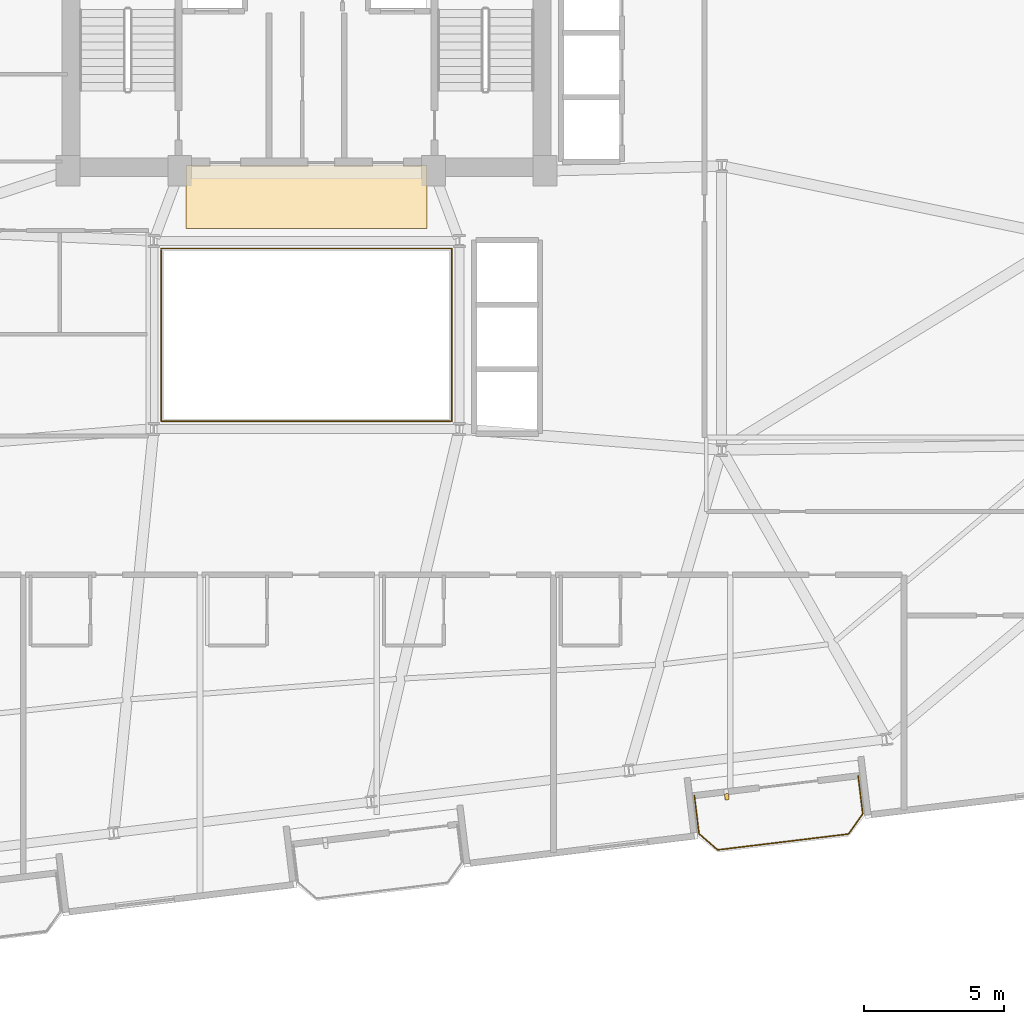
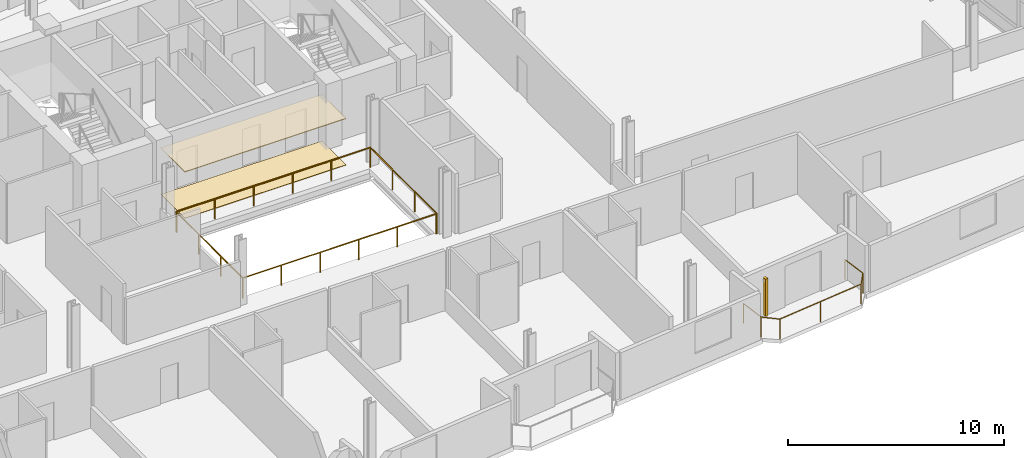
# One storey, part 20 of 22: 3 railings, 2 coverings, 1 shading device.
"""IFC4 building model written with IfcOpenShell, lengths in metres."""

from ifc_helpers import new_model, si_unit, direction, frame, origin, origin_2d, place, context, subcontext, project, spatial, rectangle, circle, extrude, source, transform, mapped, material, layer, layer_set, type_object, element, save


model = new_model("IFC4")

# Units and contexts
model_context = context("Model", 3, precision=1e-05, world=origin(), true_north=direction((0.0, 1.0)))
body_context = subcontext(model_context, "Body", "Model", "MODEL_VIEW")
ifc_project = project(units=[si_unit("LENGTHUNIT", "METRE"), si_unit("AREAUNIT", "SQUARE_METRE"), si_unit("VOLUMEUNIT", "CUBIC_METRE"), si_unit("PLANEANGLEUNIT", "RADIAN"), si_unit("MASSUNIT", "GRAM", prefix="KILO")], contexts=[model_context])

# Site, building, storey
site_placement = place(None, origin())
site = spatial("IfcSite", under=ifc_project, at=site_placement, CompositionType="ELEMENT")
building_placement = place(site_placement, origin())
building = spatial("IfcBuilding", under=site, at=building_placement, Name="Varnelok Gate Tower", CompositionType="ELEMENT")
storey_placement = place(building_placement, frame((0.0, 0.0, 204.199951171875)))
storey = spatial("IfcBuildingStorey", under=building, at=storey_placement, Name="L52", CompositionType="ELEMENT", Elevation=204.199951171875)

# Railings
ifc_material_1 = material(Name="Tempered Laminated Balustrade Glass", Category="glass")
railing_type_1 = type_object("IfcRailingType", Name="RL-ATR-GUARD1150", PredefinedType="GUARDRAIL", material=ifc_material_1)
railing_1_placement = place(storey_placement, frame((34.02001953125, 25.929931640625, 0.0)))
element("IfcRailing", 1, at=railing_1_placement, inside=storey, type_object=railing_type_1, Name="L52 Internal Atrium South-West Guardrail", PredefinedType="GUARDRAIL", context=body_context, shape_type="SweptSolid", body=[
    extrude(circle(Radius=0.02392578125, at=origin_2d()), frame((0.0, 0.0, 1.1259765625), z_axis=(0.0, -1.0, 0.0), x_axis=(1.0, 0.0, 0.0)), (0.0, 0.0, 1.0), 6.10986328125),
    extrude(circle(Radius=0.02392578125, at=origin_2d()), frame((0.0, -6.10986328125, 1.1259765625), z_axis=(1.0, 0.0, 0.0), x_axis=(0.0, 1.0, 0.0)), (0.0, 0.0, 1.0), 10.31005859375),
    extrude(circle(Radius=0.02099609375, at=origin_2d()), origin(), (0.0, 0.0, 1.0), 1.101806640625),
    extrude(circle(Radius=0.02099609375, at=origin_2d()), frame((0.0, -2.03662109375, 0.0)), (0.0, 0.0, 1.0), 1.101806640625),
    extrude(circle(Radius=0.02099609375, at=origin_2d()), frame((0.0, -4.0732421875, 0.0)), (0.0, 0.0, 1.0), 1.101806640625),
    extrude(circle(Radius=0.02099609375, at=origin_2d()), frame((0.0, -6.10986328125, 0.0)), (0.0, 0.0, 1.0), 1.101806640625),
    extrude(circle(Radius=0.02099609375, at=origin_2d()), frame((2.06201171875, -6.10986328125, 0.0)), (0.0, 0.0, 1.0), 1.101806640625),
    extrude(circle(Radius=0.02099609375, at=origin_2d()), frame((4.1240234375, -6.10986328125, 0.0)), (0.0, 0.0, 1.0), 1.101806640625),
    extrude(circle(Radius=0.02099609375, at=origin_2d()), frame((6.18603515625, -6.10986328125, 0.0)), (0.0, 0.0, 1.0), 1.101806640625),
    extrude(circle(Radius=0.02099609375, at=origin_2d()), frame((8.248046875, -6.10986328125, 0.0)), (0.0, 0.0, 1.0), 1.101806640625),
    extrude(circle(Radius=0.02099609375, at=origin_2d()), frame((10.31005859375, -6.10986328125, 0.0)), (0.0, 0.0, 1.0), 1.101806640625),
])
railing_2_placement = place(storey_placement, frame((44.3798828125, 19.820068359375, 0.0)))
element("IfcRailing", 2, at=railing_2_placement, inside=storey, type_object=railing_type_1, Name="L52 Internal Atrium North-East Guardrail", PredefinedType="GUARDRAIL", context=body_context, shape_type="SweptSolid", body=[
    extrude(circle(Radius=0.02392578125, at=origin_2d()), frame((0.0, 0.0, 1.1259765625), z_axis=(0.0, 1.0, 0.0), x_axis=(-1.0, 0.0, 0.0)), (0.0, 0.0, 1.0), 6.159912109375),
    extrude(circle(Radius=0.02392578125, at=origin_2d()), frame((0.0, 6.159912109375, 1.1259765625), z_axis=(-1.0, 0.0, 0.0), x_axis=(0.0, -1.0, 0.0)), (0.0, 0.0, 1.0), 10.35986328125),
    extrude(circle(Radius=0.02099609375, at=origin_2d()), origin(), (0.0, 0.0, 1.0), 1.101806640625),
    extrude(circle(Radius=0.02099609375, at=origin_2d()), frame((0.0, 2.05322265625, 0.0)), (0.0, 0.0, 1.0), 1.101806640625),
    extrude(circle(Radius=0.02099609375, at=origin_2d()), frame((0.0, 4.106689453125, 0.0)), (0.0, 0.0, 1.0), 1.101806640625),
    extrude(circle(Radius=0.02099609375, at=origin_2d()), frame((0.0, 6.159912109375, 0.0)), (0.0, 0.0, 1.0), 1.101806640625),
    extrude(circle(Radius=0.02099609375, at=origin_2d()), frame((-2.072021484375, 6.159912109375, 0.0)), (0.0, 0.0, 1.0), 1.101806640625),
    extrude(circle(Radius=0.02099609375, at=origin_2d()), frame((-4.14404296875, 6.159912109375, 0.0)), (0.0, 0.0, 1.0), 1.101806640625),
    extrude(circle(Radius=0.02099609375, at=origin_2d()), frame((-6.2158203125, 6.159912109375, 0.0)), (0.0, 0.0, 1.0), 1.101806640625),
    extrude(circle(Radius=0.02099609375, at=origin_2d()), frame((-8.287841796875, 6.159912109375, 0.0)), (0.0, 0.0, 1.0), 1.101806640625),
    extrude(circle(Radius=0.02099609375, at=origin_2d()), frame((-10.35986328125, 6.159912109375, 0.0)), (0.0, 0.0, 1.0), 1.101806640625),
])
ifc_material_2 = material(Name="Low-E Laminated Double Glazing IGU", Category="glass")
railing_type_2 = type_object("IfcRailingType", Name="RL-BALC-1150", PredefinedType="BALUSTRADE", material=ifc_material_2)
railing_3_placement = place(storey_placement, frame((53.025634765625, 6.47705078125, 0.0)))
element("IfcRailing", 3, at=railing_3_placement, inside=storey, type_object=railing_type_2, Name="L52 South Terrace Balustrade 3", PredefinedType="BALUSTRADE", context=body_context, shape_type="SweptSolid", body=[
    extrude(circle(Radius=0.02392578125, at=origin_2d()), frame((0.0, 0.0, 1.1259765625), z_axis=(0.1204590856, -0.992718292718, 0.0), x_axis=(0.992718292718, 0.1204590856, 0.0)), (0.0, 0.0, 1.0), 1.3701171875),
    extrude(circle(Radius=0.02392578125, at=origin_2d()), frame((0.1650390625, -1.360107421875, 1.1259765625), z_axis=(0.756303655992, -0.654220742513, 0.0), x_axis=(0.654220742513, 0.756303655992, 0.0)), (0.0, 0.0, 1.0), 0.877685546875),
    extrude(circle(Radius=0.02392578125, at=origin_2d()), frame((0.828857421875, -1.934326171875, 1.1259765625), z_axis=(0.99273133746, 0.120351533534, 0.0), x_axis=(-0.120351533534, 0.99273133746, 0.0)), (0.0, 0.0, 1.0), 4.7001953125),
    extrude(circle(Radius=0.02392578125, at=origin_2d()), frame((5.494873046875, -1.36865234375, 1.1259765625), z_axis=(0.577971037086, 0.816057277579, 0.0), x_axis=(-0.816057277579, 0.577971037086, 0.0)), (0.0, 0.0, 1.0), 0.877685546875),
    extrude(circle(Radius=0.02392578125, at=origin_2d()), frame((6.002197265625, -0.65234375, 1.1259765625), z_axis=(-0.120283471698, 0.992739586415, 0.0), x_axis=(-0.992739586415, -0.120283471698, 0.0)), (0.0, 0.0, 1.0), 1.3701171875),
    extrude(circle(Radius=0.02099609375, at=origin_2d()), origin(), (0.0, 0.0, 1.0), 1.101806640625),
    extrude(circle(Radius=0.02099609375, at=origin_2d()), frame((0.1650390625, -1.360107421875, 0.0)), (0.0, 0.0, 1.0), 1.101806640625),
    extrude(circle(Radius=0.02099609375, at=origin_2d()), frame((0.828857421875, -1.934326171875, 0.0)), (0.0, 0.0, 1.0), 1.101806640625),
    extrude(circle(Radius=0.02099609375, at=origin_2d()), frame((3.161865234375, -1.6513671875, 0.0)), (0.0, 0.0, 1.0), 1.101806640625),
    extrude(circle(Radius=0.02099609375, at=origin_2d()), frame((5.494873046875, -1.36865234375, 0.0)), (0.0, 0.0, 1.0), 1.101806640625),
    extrude(circle(Radius=0.02099609375, at=origin_2d()), frame((6.002197265625, -0.65234375, 0.0)), (0.0, 0.0, 1.0), 1.101806640625),
    extrude(circle(Radius=0.02099609375, at=origin_2d()), frame((5.83740234375, 0.707763671875, 0.0)), (0.0, 0.0, 1.0), 1.101806640625),
])

# Shading device
ifc_material_3 = material(Name="Glazed Architectural Terracotta Ceramic", Category="masonry")
shading_device_type = type_object("IfcShadingDeviceType", Name="SHD-TERRA-BAGUETTE", PredefinedType="USERDEFINED", material=ifc_material_3)
shared_shape_1 = source(origin(), body_context, "Body", "SweptSolid", [
    extrude(rectangle(XDim=0.139892578125, YDim=0.219970703125, at=origin_2d()), origin(), (0.0, 0.0, 1.0), 2.10009765625),
])
shading_device_placement = place(storey_placement, frame((54.17919921875, 6.435546875, 0.10009765625), z_axis=(0.0, 0.0, 1.0), x_axis=(0.992732158755, 0.12034475881, 0.0)))
element("IfcShadingDevice", 4, at=shading_device_placement, inside=storey, type_object=shading_device_type, Name="L52 Terracotta Ceramic Baguette Sunscreen 3.1", ObjectType="BAGUETTE", PredefinedType="USERDEFINED", context=body_context, shape_type="MappedRepresentation", body=[
    mapped(shared_shape_1, transform((0.0, 0.0, 0.0), scale=1.0)),
])

# Coverings
ifc_material_4 = material(Name="Honed Travertine Stone Flooring", Category="masonry")
ifc_layer_1 = layer(ifc_material_4, 0.02490234375)
ifc_layer_set_1 = layer_set([ifc_layer_1], Name="Honed Travertine Stone Flooring")
covering_type_1 = type_object("IfcCoveringType", Name="COV-FLOR-STONE", PredefinedType="FLOORING", material=ifc_layer_set_1)
shared_shape_2 = source(origin(), body_context, "Body", "SweptSolid", [
    extrude(rectangle(XDim=8.60009765625, YDim=2.219970703125, at=origin_2d()), origin(), (0.0, 0.0, 1.0), 0.02490234375),
])
covering_1_placement = place(storey_placement, frame((39.199951171875, 27.800048828125, 0.0), z_axis=(0.0, 0.0, 1.0), x_axis=(1.0, 0.0, 0.0)))
element("IfcCovering", 5, at=covering_1_placement, inside=storey, type_object=covering_type_1, Name="L52 Core Gallery Stone Flooring", PredefinedType="FLOORING", context=body_context, shape_type="MappedRepresentation", body=[
    mapped(shared_shape_2, transform((0.0, 0.0, 0.0), scale=1.0)),
])
ifc_material_5 = material(Name="Mineral Fiber Acoustic Ceiling Tile")
ifc_layer_2 = layer(ifc_material_5, 0.0400390625)
ifc_layer_set_2 = layer_set([ifc_layer_2], Name="Mineral Fiber Acoustic Ceiling Tile")
covering_type_2 = type_object("IfcCoveringType", Name="COV-CEIL-ACOUST", PredefinedType="CEILING", material=ifc_layer_set_2)
shared_shape_3 = source(origin(), body_context, "Body", "SweptSolid", [
    extrude(rectangle(XDim=8.60009765625, YDim=2.239990234375, at=origin_2d()), origin(), (0.0, 0.0, 1.0), 0.0400390625),
])
covering_2_placement = place(storey_placement, frame((39.199951171875, 27.820068359375, 2.60009765625), z_axis=(0.0, 0.0, 1.0), x_axis=(1.0, 0.0, 0.0)))
element("IfcCovering", 6, at=covering_2_placement, inside=storey, type_object=covering_type_2, Name="L52 Core Gallery Acoustic Ceiling", PredefinedType="CEILING", context=body_context, shape_type="MappedRepresentation", body=[
    mapped(shared_shape_3, transform((0.0, 0.0, 0.0), scale=1.0)),
])

save(model, "model.ifc")
